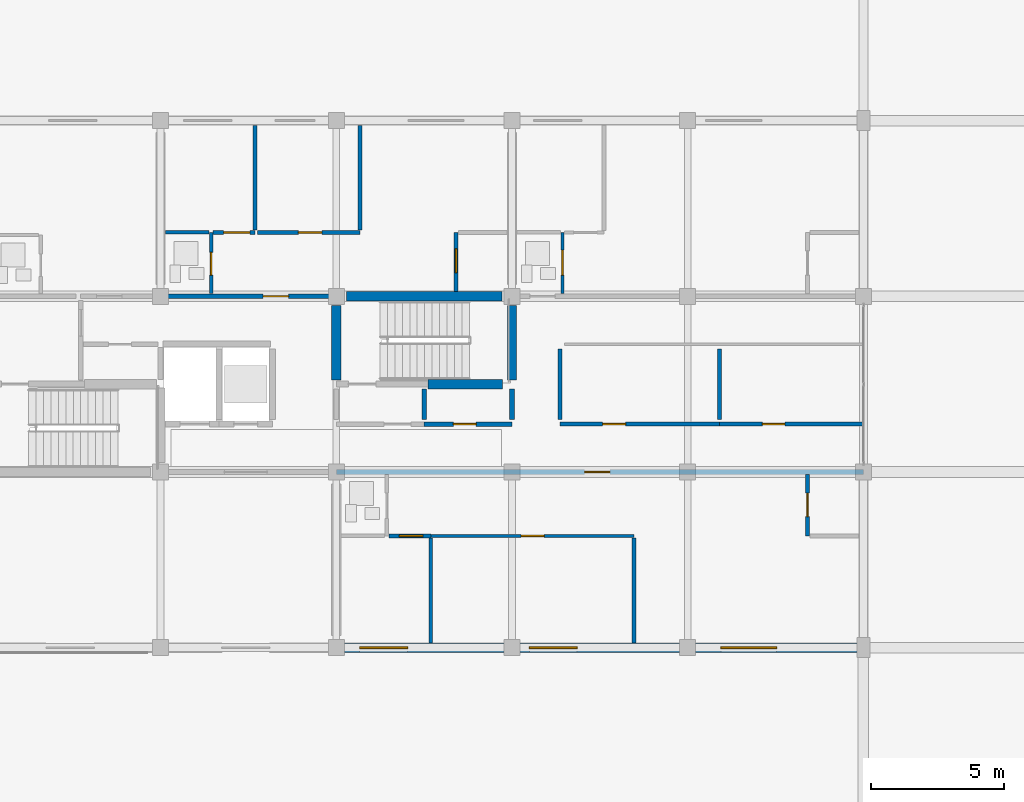
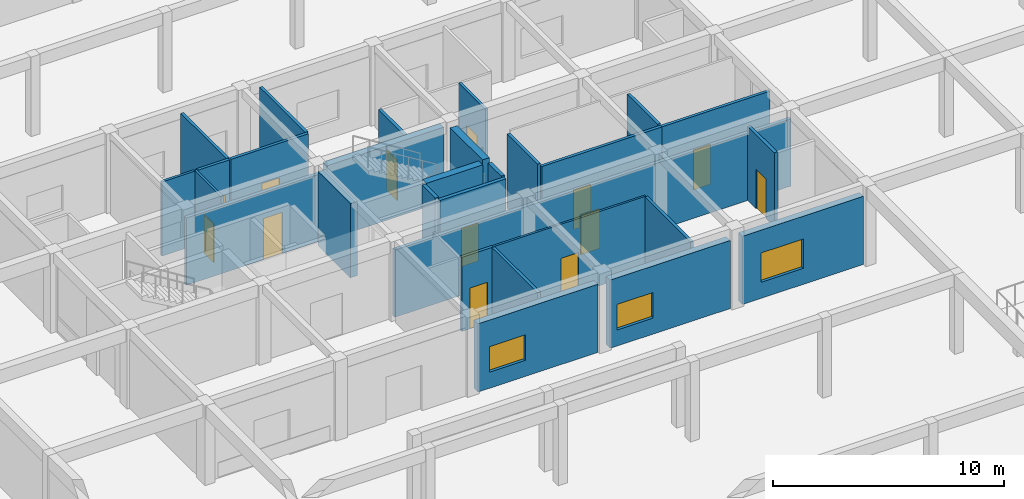
# One storey, part 55 of 75: 29 walls, 13 doors, 3 windows, 16 openings.
"""IFC4 building model written with IfcOpenShell, lengths in metres."""

from ifc_helpers import new_model, si_unit, direction, frame, frame_2d, origin, place, context, subcontext, project, spatial, rectangle, extrude, material, layer, layer_set, type_object, element, fill, save


model = new_model("IFC4")

# Units and contexts
model_context = context("Model", 3, precision=1e-05, world=origin(), true_north=direction((0.0, 1.0)))
body_context = subcontext(model_context, "Body", "Model", "MODEL_VIEW")
ifc_project = project(units=[si_unit("LENGTHUNIT", "METRE"), si_unit("AREAUNIT", "SQUARE_METRE"), si_unit("VOLUMEUNIT", "CUBIC_METRE"), si_unit("PLANEANGLEUNIT", "RADIAN"), si_unit("MASSUNIT", "GRAM", prefix="KILO")], contexts=[model_context])

# Site, building, storey
site_placement = place(None, origin())
site = spatial("IfcSite", under=ifc_project, at=site_placement, CompositionType="ELEMENT")
building_placement = place(site_placement, origin())
building = spatial("IfcBuilding", under=site, at=building_placement, Name="Kernevlak Ridge Housing Community", CompositionType="ELEMENT")
storey_placement = place(building_placement, origin())
storey = spatial("IfcBuildingStorey", under=building, at=storey_placement, Name="L00", CompositionType="ELEMENT", Elevation=0.0)

# Wall, opening, window
ifc_material_1 = material(Name="Concrete block masonry M10", Category="masonry")
ifc_layer_1 = layer(ifc_material_1, 0.340087890625, Name="Concrete block masonry M10")
ifc_layer_set_1 = layer_set([ifc_layer_1], Name="Concrete block masonry M10")
wall_type_1 = type_object("IfcWallType", Name="EW-04", PredefinedType="STANDARD", material=ifc_layer_set_1)
wall_1_placement = place(storey_placement, frame((29.10009765625, 76.0, 0.0), z_axis=(0.0, 0.0, 1.0), x_axis=(1.0, 0.0, 0.0)))
wall_1 = element("IfcWall", 1, at=wall_1_placement, inside=storey, type_object=wall_type_1, Name="Exterior wall EW-04 L00 3", PredefinedType="STANDARD", context=body_context, shape_type="SweptSolid", body=[
    extrude(rectangle(XDim=6.0, YDim=0.340087890625, at=frame_2d((3.0, 0.0))), origin(), (0.0, 0.0, 1.0), 3.60009765625),
])
opening_1_placement = place(wall_1_placement, frame((0.574951171875, 0.0, 0.85009765625)))
opening_1 = element("IfcOpeningElement", 2, at=opening_1_placement, cuts=wall_1, Name="Opening WT-03", PredefinedType="OPENING", context=body_context, shape_type="SweptSolid", body=[
    extrude(rectangle(XDim=1.800048828125, YDim=1.35009765625, at=frame_2d((0.89990234375, 0.675048828125))), frame((0.0, 0.179931640625, 0.0), z_axis=(0.0, -1.0, 0.0), x_axis=(1.0, 0.0, 0.0)), (0.0, 0.0, 1.0), 0.360107421875),
])
ifc_material_2 = material(Name="Aluminium EN AW-6060 anodised and laminated glass", Category="aluminium")
window_type_1 = type_object("IfcWindowType", Name="WT-03", PartitioningType="SINGLE_PANEL", PredefinedType="WINDOW", material=ifc_material_2)
window_1_placement = place(opening_1_placement, origin())
window_1 = element("IfcWindow", 3, at=window_1_placement, inside=storey, type_object=window_type_1, Name="Window WT-03 L00 1", OverallHeight=1.35009765625, OverallWidth=1.800048828125, PartitioningType="SINGLE_PANEL", PredefinedType="WINDOW", context=body_context, shape_type="SweptSolid", body=[
    extrude(rectangle(XDim=1.800048828125, YDim=1.35009765625, at=frame_2d((0.89990234375, 0.675048828125))), frame((0.0, 0.030029296875, 0.0), z_axis=(0.0, -1.0, 0.0), x_axis=(1.0, 0.0, 0.0)), (0.0, 0.0, 1.0), 0.06005859375),
])
fill(opening_1, window_1)

wall_2_placement = place(storey_placement, frame((35.699951171875, 76.0, 0.0), z_axis=(0.0, 0.0, 1.0), x_axis=(1.0, 0.0, 0.0)))
wall_2 = element("IfcWall", 4, at=wall_2_placement, inside=storey, type_object=wall_type_1, Name="Exterior wall EW-04 L00 4", PredefinedType="STANDARD", context=body_context, shape_type="SweptSolid", body=[
    extrude(rectangle(XDim=6.0, YDim=0.340087890625, at=frame_2d((3.0, 0.0))), origin(), (0.0, 0.0, 1.0), 3.60009765625),
])
opening_2_placement = place(wall_2_placement, frame((0.35009765625, 0.0, 0.85009765625)))
opening_2 = element("IfcOpeningElement", 5, at=opening_2_placement, cuts=wall_2, Name="Opening WT-03", PredefinedType="OPENING", context=body_context, shape_type="SweptSolid", body=[
    extrude(rectangle(XDim=1.800048828125, YDim=1.35009765625, at=frame_2d((0.89990234375, 0.675048828125))), frame((0.0, 0.179931640625, 0.0), z_axis=(0.0, -1.0, 0.0), x_axis=(1.0, 0.0, 0.0)), (0.0, 0.0, 1.0), 0.360107421875),
])
window_2_placement = place(opening_2_placement, origin())
window_2 = element("IfcWindow", 6, at=window_2_placement, inside=storey, type_object=window_type_1, Name="Window WT-03 L00 2", OverallHeight=1.35009765625, OverallWidth=1.800048828125, PartitioningType="SINGLE_PANEL", PredefinedType="WINDOW", context=body_context, shape_type="SweptSolid", body=[
    extrude(rectangle(XDim=1.800048828125, YDim=1.35009765625, at=frame_2d((0.89990234375, 0.675048828125))), frame((0.0, 0.030029296875, 0.0), z_axis=(0.0, -1.0, 0.0), x_axis=(1.0, 0.0, 0.0)), (0.0, 0.0, 1.0), 0.06005859375),
])
fill(opening_2, window_2)

wall_3_placement = place(storey_placement, frame((42.300048828125, 76.0, 0.0), z_axis=(0.0, 0.0, 1.0), x_axis=(1.0, 0.0, 0.0)))
wall_3 = element("IfcWall", 7, at=wall_3_placement, inside=storey, type_object=wall_type_1, Name="Exterior wall EW-04 L00 5", PredefinedType="STANDARD", context=body_context, shape_type="SweptSolid", body=[
    extrude(rectangle(XDim=6.050048828125, YDim=0.340087890625, at=frame_2d((3.02490234375, 0.0))), origin(), (0.0, 0.0, 1.0), 3.60009765625),
])
opening_3_placement = place(wall_3_placement, frame((0.944091796875, 0.0, 0.85009765625)))
opening_3 = element("IfcOpeningElement", 8, at=opening_3_placement, cuts=wall_3, Name="Opening WT-05", PredefinedType="OPENING", context=body_context, shape_type="SweptSolid", body=[
    extrude(rectangle(XDim=2.10009765625, YDim=1.550048828125, at=frame_2d((1.050048828125, 0.77490234375))), frame((0.0, 0.179931640625, 0.0), z_axis=(0.0, -1.0, 0.0), x_axis=(1.0, 0.0, 0.0)), (0.0, 0.0, 1.0), 0.360107421875),
])
window_type_2 = type_object("IfcWindowType", Name="WT-05", PartitioningType="SINGLE_PANEL", PredefinedType="WINDOW", material=ifc_material_2)
window_3_placement = place(opening_3_placement, origin())
window_3 = element("IfcWindow", 9, at=window_3_placement, inside=storey, type_object=window_type_2, Name="Window WT-05 L00 3", OverallHeight=1.550048828125, OverallWidth=2.10009765625, PartitioningType="SINGLE_PANEL", PredefinedType="WINDOW", context=body_context, shape_type="SweptSolid", body=[
    extrude(rectangle(XDim=2.10009765625, YDim=1.550048828125, at=frame_2d((1.050048828125, 0.77490234375))), frame((0.0, 0.030029296875, 0.0), z_axis=(0.0, -1.0, 0.0), x_axis=(1.0, 0.0, 0.0)), (0.0, 0.0, 1.0), 0.06005859375),
])
fill(opening_3, window_3)

# Wall, opening, door
ifc_layer_2 = layer(ifc_material_1, 0.175048828125, Name="Concrete block masonry M10")
ifc_layer_set_2 = layer_set([ifc_layer_2], Name="Concrete block masonry M10")
wall_type_2 = type_object("IfcWallType", Name="PW-02", PredefinedType="PARTITIONING", material=ifc_layer_set_2)
wall_4_placement = place(storey_placement, frame((32.10009765625, 84.39990234375, 0.0), z_axis=(0.0, 0.0, 1.0), x_axis=(1.0, 0.0, 0.0)))
wall_4 = element("IfcWall", 10, at=wall_4_placement, inside=storey, type_object=wall_type_2, Name="Interior wall PW-02 WAL-INT-L00-0034", PredefinedType="PARTITIONING", context=body_context, shape_type="SweptSolid", body=[
    extrude(rectangle(XDim=3.2998046875, YDim=0.175048828125, at=frame_2d((1.64990234375, 0.0))), origin(), (0.0, 0.0, 1.0), 3.919921875),
])
opening_4_placement = place(wall_4_placement, frame((1.10009765625, 0.0, 0.0)))
opening_4 = element("IfcOpeningElement", 11, at=opening_4_placement, cuts=wall_4, Name="Opening D014", PredefinedType="OPENING", context=body_context, shape_type="SweptSolid", body=[
    extrude(rectangle(XDim=0.85009765625, YDim=2.0, at=frame_2d((0.425048828125, 1.0))), frame((0.0, 0.097412109375, 0.0), z_axis=(0.0, -1.0, 0.0), x_axis=(1.0, 0.0, 0.0)), (0.0, 0.0, 1.0), 0.195068359375),
])
ifc_material_3 = material(Name="Fire-rated sheet steel leaf", Category="steel")
door_type_1 = type_object("IfcDoorType", Name="DT-07", OperationType="NOTDEFINED", PredefinedType="DOOR", material=ifc_material_3)
door_1_placement = place(opening_4_placement, origin())
door_1 = element("IfcDoor", 12, at=door_1_placement, inside=storey, type_object=door_type_1, Name="Block A Cleaner store door D014", OperationType="SINGLE_SWING_RIGHT", OverallHeight=2.0, OverallWidth=0.85009765625, PredefinedType="DOOR", context=body_context, shape_type="SweptSolid", body=[
    extrude(rectangle(XDim=0.85009765625, YDim=2.0, at=frame_2d((0.425048828125, 1.0))), frame((0.0, 0.02490234375, 0.0), z_axis=(0.0, -1.0, 0.0), x_axis=(1.0, 0.0, 0.0)), (0.0, 0.0, 1.0), 0.050048828125),
])
fill(opening_4, door_1)

# Walls
for number, where, z_axis, x_axis, name in (
    (13, (32.10009765625, 84.580078125, 0.0), (0.0, 0.0, 1.0), (0.0, 1.0, 0.0), "Interior wall PW-02 WAL-INT-L00-0036"),
    (14, (35.39990234375, 84.580078125, 0.0), (0.0, 0.0, 1.0), (0.0, 1.0, 0.0), "Interior wall PW-02 WAL-INT-L00-0037"),
):
    element("IfcWall", number, at=place(storey_placement, frame(where, z_axis=z_axis, x_axis=x_axis)), inside=storey, type_object=wall_type_2, Name=name, PredefinedType="PARTITIONING", context=body_context, shape_type="SweptSolid", body=[
        extrude(rectangle(XDim=1.139892578125, YDim=0.175048828125, at=frame_2d((0.56982421875, 0.0))), origin(), (0.0, 0.0, 1.0), 3.919921875),
    ])

# Wall, opening, door
wall_5_placement = place(storey_placement, frame((28.800048828125, 82.60009765625, 0.0), z_axis=(0.0, 0.0, 1.0), x_axis=(1.0, 0.0, 0.0)))
wall_5 = element("IfcWall", 15, at=wall_5_placement, inside=storey, type_object=wall_type_2, Name="Interior wall PW-02 WAL-INT-L00-0044", PredefinedType="PARTITIONING", context=body_context, shape_type="SweptSolid", body=[
    extrude(rectangle(XDim=19.800048828125, YDim=0.175048828125, at=frame_2d((9.89990234375, 0.0))), origin(), (0.0, 0.0, 1.0), 3.550048828125),
])
opening_5_placement = place(wall_5_placement, frame((9.324951171875, 0.0, 0.0)))
opening_5 = element("IfcOpeningElement", 16, at=opening_5_placement, cuts=wall_5, Name="Opening D020", PredefinedType="OPENING", context=body_context, shape_type="SweptSolid", body=[
    extrude(rectangle(XDim=0.949951171875, YDim=2.10009765625, at=frame_2d((0.47509765625, 1.050048828125))), frame((0.0, 0.097412109375, 0.0), z_axis=(0.0, -1.0, 0.0), x_axis=(1.0, 0.0, 0.0)), (0.0, 0.0, 1.0), 0.195068359375),
])
ifc_material_4 = material(Name="Hardwood timber solid-core fire leaf", Category="wood")
door_type_2 = type_object("IfcDoorType", Name="DT-01", OperationType="NOTDEFINED", PredefinedType="DOOR", material=ifc_material_4)
door_2_placement = place(opening_5_placement, origin())
door_2 = element("IfcDoor", 17, at=door_2_placement, inside=storey, type_object=door_type_2, Name="Flat A0012 entrance fire door D020", OperationType="SINGLE_SWING_RIGHT", OverallHeight=2.10009765625, OverallWidth=0.949951171875, PredefinedType="DOOR", context=body_context, shape_type="SweptSolid", body=[
    extrude(rectangle(XDim=0.949951171875, YDim=2.10009765625, at=frame_2d((0.47509765625, 1.050048828125))), frame((0.0, 0.02490234375, 0.0), z_axis=(0.0, -1.0, 0.0), x_axis=(1.0, 0.0, 0.0)), (0.0, 0.0, 1.0), 0.050048828125),
])
fill(opening_5, door_2)

wall_6_placement = place(storey_placement, frame((22.199951171875, 89.199951171875, 0.0), z_axis=(0.0, 0.0, 1.0), x_axis=(1.0, 0.0, 0.0)))
wall_6 = element("IfcWall", 18, at=wall_6_placement, inside=storey, type_object=wall_type_2, Name="Interior wall PW-02 WAL-INT-L00-0057", PredefinedType="PARTITIONING", context=body_context, shape_type="SweptSolid", body=[
    extrude(rectangle(XDim=6.60009765625, YDim=0.175048828125, at=frame_2d((3.300048828125, 0.0))), origin(), (0.0, 0.0, 1.0), 3.550048828125),
])
opening_6_placement = place(wall_6_placement, frame((3.85009765625, 0.0, 0.0)))
opening_6 = element("IfcOpeningElement", 19, at=opening_6_placement, cuts=wall_6, Name="Opening D027", PredefinedType="OPENING", context=body_context, shape_type="SweptSolid", body=[
    extrude(rectangle(XDim=0.9599609375, YDim=2.179931640625, at=frame_2d((0.47998046875, 1.08984375))), frame((0.0, 0.097412109375, 0.0), z_axis=(0.0, -1.0, 0.0), x_axis=(1.0, 0.0, 0.0)), (0.0, 0.0, 1.0), 0.195068359375),
])
door_type_3 = type_object("IfcDoorType", Name="DT-29", OperationType="NOTDEFINED", PredefinedType="DOOR", material=ifc_material_4)
door_3_placement = place(opening_6_placement, origin())
door_3 = element("IfcDoor", 20, at=door_3_placement, inside=storey, type_object=door_type_3, Name="Flat A0022 entrance fire door D027", OperationType="SINGLE_SWING_LEFT", OverallHeight=2.179931640625, OverallWidth=0.9599609375, PredefinedType="DOOR", context=body_context, shape_type="SweptSolid", body=[
    extrude(rectangle(XDim=0.9599609375, YDim=2.179931640625, at=frame_2d((0.47998046875, 1.08984375))), frame((0.0, 0.02490234375, 0.0), z_axis=(0.0, -1.0, 0.0), x_axis=(1.0, 0.0, 0.0)), (0.0, 0.0, 1.0), 0.050048828125),
])
fill(opening_6, door_3)

ifc_layer_3 = layer(ifc_material_1, 0.14501953125, Name="Concrete block masonry M10")
ifc_layer_set_3 = layer_set([ifc_layer_3], Name="Concrete block masonry M10")
wall_type_3 = type_object("IfcWallType", Name="PW-03", PredefinedType="PARTITIONING", material=ifc_layer_set_3)
wall_7_placement = place(storey_placement, frame((37.199951171875, 84.39990234375, 0.0), z_axis=(0.0, 0.0, 1.0), x_axis=(1.0, 0.0, 0.0)))
wall_7 = element("IfcWall", 21, at=wall_7_placement, inside=storey, type_object=wall_type_3, Name="Interior wall PW-03 WAL-INT-L00-0038", PredefinedType="PARTITIONING", context=body_context, shape_type="SweptSolid", body=[
    extrude(rectangle(XDim=6.0, YDim=0.14501953125, at=frame_2d((3.0, 0.0))), origin(), (0.0, 0.0, 1.0), 3.919921875),
])
opening_7_placement = place(wall_7_placement, frame((1.60009765625, 0.0, 0.0)))
opening_7 = element("IfcOpeningElement", 22, at=opening_7_placement, cuts=wall_7, Name="Opening D015", PredefinedType="OPENING", context=body_context, shape_type="SweptSolid", body=[
    extrude(rectangle(XDim=0.8701171875, YDim=2.080078125, at=frame_2d((0.43505859375, 1.0400390625))), frame((0.0, 0.08251953125, 0.0), z_axis=(0.0, -1.0, 0.0), x_axis=(1.0, 0.0, 0.0)), (0.0, 0.0, 1.0), 0.1650390625),
])
ifc_material_5 = material(Name="Hardwood timber leaf", Category="wood")
door_type_4 = type_object("IfcDoorType", Name="DT-32", OperationType="NOTDEFINED", PredefinedType="DOOR", material=ifc_material_5)
door_4_placement = place(opening_7_placement, origin())
door_4 = element("IfcDoor", 23, at=door_4_placement, inside=storey, type_object=door_type_4, Name="Block A Laundry room door D015", OperationType="SINGLE_SWING_LEFT", OverallHeight=2.080078125, OverallWidth=0.8701171875, PredefinedType="DOOR", context=body_context, shape_type="SweptSolid", body=[
    extrude(rectangle(XDim=0.8701171875, YDim=2.080078125, at=frame_2d((0.43505859375, 1.0400390625))), frame((0.0, 0.02490234375, 0.0), z_axis=(0.0, -1.0, 0.0), x_axis=(1.0, 0.0, 0.0)), (0.0, 0.0, 1.0), 0.050048828125),
])
fill(opening_7, door_4)

wall_8_placement = place(storey_placement, frame((43.199951171875, 84.39990234375, 0.0), z_axis=(0.0, 0.0, 1.0), x_axis=(1.0, 0.0, 0.0)))
wall_8 = element("IfcWall", 24, at=wall_8_placement, inside=storey, type_object=wall_type_3, Name="Interior wall PW-03 WAL-INT-L00-0039", PredefinedType="PARTITIONING", context=body_context, shape_type="SweptSolid", body=[
    extrude(rectangle(XDim=5.400146484375, YDim=0.14501953125, at=frame_2d((2.7001953125, 0.0))), origin(), (0.0, 0.0, 1.0), 3.919921875),
])
opening_8_placement = place(wall_8_placement, frame((1.60009765625, 0.0, 0.0)))
opening_8 = element("IfcOpeningElement", 25, at=opening_8_placement, cuts=wall_8, Name="Opening D016", PredefinedType="OPENING", context=body_context, shape_type="SweptSolid", body=[
    extrude(rectangle(XDim=0.85009765625, YDim=2.10009765625, at=frame_2d((0.425048828125, 1.050048828125))), frame((0.0, 0.08251953125, 0.0), z_axis=(0.0, -1.0, 0.0), x_axis=(1.0, 0.0, 0.0)), (0.0, 0.0, 1.0), 0.1650390625),
])
door_type_5 = type_object("IfcDoorType", Name="DT-03", OperationType="NOTDEFINED", PredefinedType="DOOR", material=ifc_material_5)
door_5_placement = place(opening_8_placement, origin())
door_5 = element("IfcDoor", 26, at=door_5_placement, inside=storey, type_object=door_type_5, Name="Block A Study room door D016", OperationType="SINGLE_SWING_RIGHT", OverallHeight=2.10009765625, OverallWidth=0.85009765625, PredefinedType="DOOR", context=body_context, shape_type="SweptSolid", body=[
    extrude(rectangle(XDim=0.85009765625, YDim=2.10009765625, at=frame_2d((0.425048828125, 1.050048828125))), frame((0.0, 0.02490234375, 0.0), z_axis=(0.0, -1.0, 0.0), x_axis=(1.0, 0.0, 0.0)), (0.0, 0.0, 1.0), 0.050048828125),
])
fill(opening_8, door_5)

# Walls
for number, where, z_axis, x_axis, name in (
    (27, (43.199951171875, 84.580078125, 0.0), (0.0, 0.0, 1.0), (0.0, 1.0, 0.0), "Interior wall PW-03 WAL-INT-L00-0040"),
    (28, (37.199951171875, 84.580078125, 0.0), (0.0, 0.0, 1.0), (0.0, 1.0, 0.0), "Interior wall PW-03 WAL-INT-L00-0042"),
):
    element("IfcWall", number, at=place(storey_placement, frame(where, z_axis=z_axis, x_axis=x_axis)), inside=storey, type_object=wall_type_3, Name=name, PredefinedType="PARTITIONING", context=body_context, shape_type="SweptSolid", body=[
        extrude(rectangle(XDim=2.639892578125, YDim=0.14501953125, at=frame_2d((1.31982421875, 0.0))), origin(), (0.0, 0.0, 1.0), 3.919921875),
    ])

# Wall, opening, door
wall_9_placement = place(storey_placement, frame((30.7724609375, 80.199951171875, 0.0), z_axis=(0.0, 0.0, 1.0), x_axis=(1.0, 0.0, 0.0)))
wall_9 = element("IfcWall", 29, at=wall_9_placement, inside=storey, type_object=wall_type_3, Name="Interior wall PW-03 WAL-INT-L00-0049", PredefinedType="PARTITIONING", context=body_context, shape_type="SweptSolid", body=[
    extrude(rectangle(XDim=1.57763671875, YDim=0.14501953125, at=frame_2d((0.788818359375, 0.0))), origin(), (0.0, 0.0, 1.0), 3.919921875),
])
opening_9_placement = place(wall_9_placement, frame((0.39990234375, 0.0, 0.0)))
opening_9 = element("IfcOpeningElement", 30, at=opening_9_placement, cuts=wall_9, Name="Opening D023", PredefinedType="OPENING", context=body_context, shape_type="SweptSolid", body=[
    extrude(rectangle(XDim=0.8798828125, YDim=2.159912109375, at=frame_2d((0.43994140625, 1.080078125))), frame((0.0, 0.08251953125, 0.0), z_axis=(0.0, -1.0, 0.0), x_axis=(1.0, 0.0, 0.0)), (0.0, 0.0, 1.0), 0.1650390625),
])
door_type_6 = type_object("IfcDoorType", Name="DT-26", OperationType="NOTDEFINED", PredefinedType="DOOR", material=ifc_material_5)
door_6_placement = place(opening_9_placement, origin())
door_6 = element("IfcDoor", 31, at=door_6_placement, inside=storey, type_object=door_type_6, Name="Flat A0012 bedroom door D023", OperationType="SINGLE_SWING_LEFT", OverallHeight=2.159912109375, OverallWidth=0.8798828125, PredefinedType="DOOR", context=body_context, shape_type="SweptSolid", body=[
    extrude(rectangle(XDim=0.8798828125, YDim=2.159912109375, at=frame_2d((0.43994140625, 1.080078125))), frame((0.0, 0.02490234375, 0.0), z_axis=(0.0, -1.0, 0.0), x_axis=(1.0, 0.0, 0.0)), (0.0, 0.0, 1.0), 0.050048828125),
])
fill(opening_9, door_6)

# Walls
wall_10_placement = place(storey_placement, frame((32.35009765625, 80.117431640625, 0.0), z_axis=(0.0, 0.0, 1.0), x_axis=(0.0, -1.0, 0.0)))
element("IfcWall", 32, at=wall_10_placement, inside=storey, type_object=wall_type_3, Name="Interior wall PW-03 WAL-INT-L00-0050", PredefinedType="PARTITIONING", context=body_context, shape_type="SweptSolid", body=[
    extrude(rectangle(XDim=3.9375, YDim=0.14501953125, at=frame_2d((1.96875, 0.0))), origin(), (0.0, 0.0, 1.0), 3.919921875),
])
wall_11_placement = place(storey_placement, frame((39.988037109375, 80.1201171875, 0.0), z_axis=(0.0, 0.0, 1.0), x_axis=(0.0, -1.0, 0.0)))
element("IfcWall", 33, at=wall_11_placement, inside=storey, type_object=wall_type_3, Name="Interior wall PW-03 WAL-INT-L00-0052", PredefinedType="PARTITIONING", context=body_context, shape_type="SweptSolid", body=[
    extrude(rectangle(XDim=3.940185546875, YDim=0.14501953125, at=frame_2d((1.97021484375, 0.0))), origin(), (0.0, 0.0, 1.0), 3.919921875),
])

# Wall, opening, door
wall_12_placement = place(storey_placement, frame((24.172607421875, 91.60009765625, 0.0), z_axis=(0.0, 0.0, 1.0), x_axis=(1.0, 0.0, 0.0)))
wall_12 = element("IfcWall", 34, at=wall_12_placement, inside=storey, type_object=wall_type_3, Name="Interior wall PW-03 WAL-INT-L00-0062", PredefinedType="PARTITIONING", context=body_context, shape_type="SweptSolid", body=[
    extrude(rectangle(XDim=1.577392578125, YDim=0.14501953125, at=frame_2d((0.78857421875, 0.0))), origin(), (0.0, 0.0, 1.0), 3.919921875),
])
opening_10_placement = place(wall_12_placement, frame((0.39990234375, 0.0, 0.0)))
opening_10 = element("IfcOpeningElement", 35, at=opening_10_placement, cuts=wall_12, Name="Opening D030", PredefinedType="OPENING", context=body_context, shape_type="SweptSolid", body=[
    extrude(rectangle(XDim=0.97998046875, YDim=2.1201171875, at=frame_2d((0.489990234375, 1.06005859375))), frame((0.0, 0.08251953125, 0.0), z_axis=(0.0, -1.0, 0.0), x_axis=(1.0, 0.0, 0.0)), (0.0, 0.0, 1.0), 0.1650390625),
])
door_type_7 = type_object("IfcDoorType", Name="DT-24", OperationType="NOTDEFINED", PredefinedType="DOOR", material=ifc_material_5)
door_7_placement = place(opening_10_placement, origin())
door_7 = element("IfcDoor", 36, at=door_7_placement, inside=storey, type_object=door_type_7, Name="Flat A0022 bedroom door D030", OperationType="SINGLE_SWING_RIGHT", OverallHeight=2.1201171875, OverallWidth=0.97998046875, PredefinedType="DOOR", context=body_context, shape_type="SweptSolid", body=[
    extrude(rectangle(XDim=0.97998046875, YDim=2.1201171875, at=frame_2d((0.489990234375, 1.06005859375))), frame((0.0, 0.02490234375, 0.0), z_axis=(0.0, -1.0, 0.0), x_axis=(1.0, 0.0, 0.0)), (0.0, 0.0, 1.0), 0.050048828125),
])
fill(opening_10, door_7)

# Wall
wall_13_placement = place(storey_placement, frame((25.75, 91.6826171875, 0.0), z_axis=(0.0, 0.0, 1.0), x_axis=(0.0, 1.0, 0.0)))
element("IfcWall", 37, at=wall_13_placement, inside=storey, type_object=wall_type_3, Name="Interior wall PW-03 WAL-INT-L00-0063", PredefinedType="PARTITIONING", context=body_context, shape_type="SweptSolid", body=[
    extrude(rectangle(XDim=3.9375, YDim=0.14501953125, at=frame_2d((1.96875, 0.0))), origin(), (0.0, 0.0, 1.0), 3.919921875),
])

# Wall, opening, door
wall_14_placement = place(storey_placement, frame((25.83251953125, 91.60009765625, 0.0), z_axis=(0.0, 0.0, 1.0), x_axis=(1.0, 0.0, 0.0)))
wall_14 = element("IfcWall", 38, at=wall_14_placement, inside=storey, type_object=wall_type_3, Name="Interior wall PW-03 WAL-INT-L00-0064", PredefinedType="PARTITIONING", context=body_context, shape_type="SweptSolid", body=[
    extrude(rectangle(XDim=3.859375, YDim=0.14501953125, at=frame_2d((1.9296875, 0.0))), origin(), (0.0, 0.0, 1.0), 3.919921875),
])
opening_11_placement = place(wall_14_placement, frame((1.5458984375, 0.0, 0.0)))
opening_11 = element("IfcOpeningElement", 39, at=opening_11_placement, cuts=wall_14, Name="Opening D031", PredefinedType="OPENING", context=body_context, shape_type="SweptSolid", body=[
    extrude(rectangle(XDim=0.8798828125, YDim=2.10009765625, at=frame_2d((0.43994140625, 1.050048828125))), frame((0.0, 0.08251953125, 0.0), z_axis=(0.0, -1.0, 0.0), x_axis=(1.0, 0.0, 0.0)), (0.0, 0.0, 1.0), 0.1650390625),
])
door_type_8 = type_object("IfcDoorType", Name="DT-25", OperationType="NOTDEFINED", PredefinedType="DOOR", material=ifc_material_5)
door_8_placement = place(opening_11_placement, origin())
door_8 = element("IfcDoor", 40, at=door_8_placement, inside=storey, type_object=door_type_8, Name="Flat A0022 bedroom door D031", OperationType="SINGLE_SWING_LEFT", OverallHeight=2.10009765625, OverallWidth=0.8798828125, PredefinedType="DOOR", context=body_context, shape_type="SweptSolid", body=[
    extrude(rectangle(XDim=0.8798828125, YDim=2.10009765625, at=frame_2d((0.43994140625, 1.050048828125))), frame((0.0, 0.02490234375, 0.0), z_axis=(0.0, -1.0, 0.0), x_axis=(1.0, 0.0, 0.0)), (0.0, 0.0, 1.0), 0.050048828125),
])
fill(opening_11, door_8)

# Wall
wall_15_placement = place(storey_placement, frame((29.69189453125, 91.6826171875, 0.0), z_axis=(0.0, 0.0, 1.0), x_axis=(0.0, 1.0, 0.0)))
element("IfcWall", 41, at=wall_15_placement, inside=storey, type_object=wall_type_3, Name="Interior wall PW-03 WAL-INT-L00-0065", PredefinedType="PARTITIONING", context=body_context, shape_type="SweptSolid", body=[
    extrude(rectangle(XDim=3.9375, YDim=0.14501953125, at=frame_2d((1.96875, 0.0))), origin(), (0.0, 0.0, 1.0), 3.919921875),
])

# Wall, opening, door
ifc_material_6 = material(Name="Gypsum plasterboard EN 520", Category="gypsum")
ifc_layer_4 = layer(ifc_material_6, 0.125, Name="Gypsum plasterboard EN 520")
ifc_layer_set_4 = layer_set([ifc_layer_4], Name="Gypsum plasterboard EN 520")
wall_type_4 = type_object("IfcWallType", Name="PW-04", PredefinedType="PARTITIONING", material=ifc_layer_set_4)
wall_16_placement = place(storey_placement, frame((24.10009765625, 89.297607421875, 0.0), z_axis=(0.0, 0.0, 1.0), x_axis=(0.0, 1.0, 0.0)))
wall_16 = element("IfcWall", 42, at=wall_16_placement, inside=storey, type_object=wall_type_4, Name="Interior wall PW-04 WAL-INT-L00-0058", PredefinedType="PARTITIONING", context=body_context, shape_type="SweptSolid", body=[
    extrude(rectangle(XDim=2.302490234375, YDim=0.125, at=frame_2d((1.1513671875, 0.0))), origin(), (0.0, 0.0, 1.0), 3.919921875),
])
opening_12_placement = place(wall_16_placement, frame((0.699951171875, 0.0, 0.0)))
opening_12 = element("IfcOpeningElement", 43, at=opening_12_placement, cuts=wall_16, Name="Opening D028", PredefinedType="OPENING", context=body_context, shape_type="SweptSolid", body=[
    extrude(rectangle(XDim=0.85009765625, YDim=2.0400390625, at=frame_2d((0.425048828125, 1.02001953125))), frame((0.0, 0.072509765625, 0.0), z_axis=(0.0, -1.0, 0.0), x_axis=(1.0, 0.0, 0.0)), (0.0, 0.0, 1.0), 0.14501953125),
])
ifc_material_7 = material(Name="Hardwood timber moisture-resistant leaf", Category="wood")
door_type_9 = type_object("IfcDoorType", Name="DT-04", OperationType="NOTDEFINED", PredefinedType="DOOR", material=ifc_material_7)
door_9_placement = place(opening_12_placement, origin())
door_9 = element("IfcDoor", 44, at=door_9_placement, inside=storey, type_object=door_type_9, Name="Flat A0022 bathroom door D028", OperationType="SINGLE_SWING_RIGHT", OverallHeight=2.0400390625, OverallWidth=0.85009765625, PredefinedType="DOOR", context=body_context, shape_type="SweptSolid", body=[
    extrude(rectangle(XDim=0.85009765625, YDim=2.0400390625, at=frame_2d((0.425048828125, 1.02001953125))), frame((0.0, 0.02490234375, 0.0), z_axis=(0.0, -1.0, 0.0), x_axis=(1.0, 0.0, 0.0)), (0.0, 0.0, 1.0), 0.050048828125),
])
fill(opening_12, door_9)

# Wall
wall_17_placement = place(storey_placement, frame((22.385009765625, 91.60009765625, 0.0), z_axis=(0.0, 0.0, 1.0), x_axis=(1.0, 0.0, 0.0)))
element("IfcWall", 45, at=wall_17_placement, inside=storey, type_object=wall_type_4, Name="Interior wall PW-04 WAL-INT-L00-0059", PredefinedType="PARTITIONING", context=body_context, shape_type="SweptSolid", body=[
    extrude(rectangle(XDim=1.635009765625, YDim=0.125, at=frame_2d((0.8173828125, 0.0))), origin(), (0.0, 0.0, 1.0), 3.919921875),
])

# Wall, opening, door
wall_18_placement = place(storey_placement, frame((37.300048828125, 89.297607421875, 0.0), z_axis=(0.0, 0.0, 1.0), x_axis=(0.0, 1.0, 0.0)))
wall_18 = element("IfcWall", 46, at=wall_18_placement, inside=storey, type_object=wall_type_4, Name="Interior wall PW-04 WAL-INT-L00-0067", PredefinedType="PARTITIONING", context=body_context, shape_type="SweptSolid", body=[
    extrude(rectangle(XDim=2.302490234375, YDim=0.125, at=frame_2d((1.1513671875, 0.0))), origin(), (0.0, 0.0, 1.0), 3.919921875),
])
opening_13_placement = place(wall_18_placement, frame((0.699951171875, 0.0, 0.0)))
opening_13 = element("IfcOpeningElement", 47, at=opening_13_placement, cuts=wall_18, Name="Opening D033", PredefinedType="OPENING", context=body_context, shape_type="SweptSolid", body=[
    extrude(rectangle(XDim=0.93994140625, YDim=2.080078125, at=frame_2d((0.469970703125, 1.0400390625))), frame((0.0, 0.072509765625, 0.0), z_axis=(0.0, -1.0, 0.0), x_axis=(1.0, 0.0, 0.0)), (0.0, 0.0, 1.0), 0.14501953125),
])
door_type_10 = type_object("IfcDoorType", Name="DT-23", OperationType="NOTDEFINED", PredefinedType="DOOR", material=ifc_material_7)
door_10_placement = place(opening_13_placement, origin())
door_10 = element("IfcDoor", 48, at=door_10_placement, inside=storey, type_object=door_type_10, Name="Flat A0023 bathroom door D033", OperationType="SINGLE_SWING_LEFT", OverallHeight=2.080078125, OverallWidth=0.93994140625, PredefinedType="DOOR", context=body_context, shape_type="SweptSolid", body=[
    extrude(rectangle(XDim=0.93994140625, YDim=2.080078125, at=frame_2d((0.469970703125, 1.0400390625))), frame((0.0, 0.02490234375, 0.0), z_axis=(0.0, -1.0, 0.0), x_axis=(1.0, 0.0, 0.0)), (0.0, 0.0, 1.0), 0.050048828125),
])
fill(opening_13, door_10)

ifc_layer_5 = layer(ifc_material_6, 0.155029296875, Name="Gypsum plasterboard EN 520")
ifc_layer_set_5 = layer_set([ifc_layer_5], Name="Gypsum plasterboard EN 520")
wall_type_5 = type_object("IfcWallType", Name="PW-05", PredefinedType="PARTITIONING", material=ifc_layer_set_5)
wall_19_placement = place(storey_placement, frame((46.5, 82.50244140625, 0.0), z_axis=(0.0, 0.0, 1.0), x_axis=(0.0, -1.0, 0.0)))
wall_19 = element("IfcWall", 49, at=wall_19_placement, inside=storey, type_object=wall_type_5, Name="Interior wall PW-05 WAL-INT-L00-0047", PredefinedType="PARTITIONING", context=body_context, shape_type="SweptSolid", body=[
    extrude(rectangle(XDim=2.302490234375, YDim=0.155029296875, at=frame_2d((1.1513671875, 0.0))), origin(), (0.0, 0.0, 1.0), 3.919921875),
])
opening_14_placement = place(wall_19_placement, frame((0.699951171875, 0.0, 0.0)))
opening_14 = element("IfcOpeningElement", 50, at=opening_14_placement, cuts=wall_19, Name="Opening D022", PredefinedType="OPENING", context=body_context, shape_type="SweptSolid", body=[
    extrude(rectangle(XDim=0.8798828125, YDim=2.10009765625, at=frame_2d((0.43994140625, 1.050048828125))), frame((0.0, 0.08740234375, 0.0), z_axis=(0.0, -1.0, 0.0), x_axis=(1.0, 0.0, 0.0)), (0.0, 0.0, 1.0), 0.175048828125),
])
door_11_placement = place(opening_14_placement, origin())
door_11 = element("IfcDoor", 51, at=door_11_placement, inside=storey, type_object=door_type_8, Name="Flat A0012 kitchen door D022", OperationType="SINGLE_SWING_RIGHT", OverallHeight=2.10009765625, OverallWidth=0.8798828125, PredefinedType="DOOR", context=body_context, shape_type="SweptSolid", body=[
    extrude(rectangle(XDim=0.8798828125, YDim=2.10009765625, at=frame_2d((0.43994140625, 1.050048828125))), frame((0.0, 0.02490234375, 0.0), z_axis=(0.0, -1.0, 0.0), x_axis=(1.0, 0.0, 0.0)), (0.0, 0.0, 1.0), 0.050048828125),
])
fill(opening_14, door_11)

wall_20_placement = place(storey_placement, frame((33.300048828125, 89.385009765625, 0.0), z_axis=(0.0, 0.0, 1.0), x_axis=(0.0, 1.0, 0.0)))
wall_20 = element("IfcWall", 52, at=wall_20_placement, inside=storey, type_object=wall_type_5, Name="Interior wall PW-05 WAL-INT-L00-0060", PredefinedType="PARTITIONING", context=body_context, shape_type="SweptSolid", body=[
    extrude(rectangle(XDim=2.215087890625, YDim=0.155029296875, at=frame_2d((1.107421875, 0.0))), origin(), (0.0, 0.0, 1.0), 3.919921875),
])
opening_15_placement = place(wall_20_placement, frame((0.699951171875, 0.0, 0.0)))
opening_15 = element("IfcOpeningElement", 53, at=opening_15_placement, cuts=wall_20, Name="Opening D029", PredefinedType="OPENING", context=body_context, shape_type="SweptSolid", body=[
    extrude(rectangle(XDim=0.89990234375, YDim=2.159912109375, at=frame_2d((0.449951171875, 1.080078125))), frame((0.0, 0.08740234375, 0.0), z_axis=(0.0, -1.0, 0.0), x_axis=(1.0, 0.0, 0.0)), (0.0, 0.0, 1.0), 0.175048828125),
])
door_type_11 = type_object("IfcDoorType", Name="DT-22", OperationType="NOTDEFINED", PredefinedType="DOOR", material=ifc_material_5)
door_12_placement = place(opening_15_placement, origin())
door_12 = element("IfcDoor", 54, at=door_12_placement, inside=storey, type_object=door_type_11, Name="Flat A0022 kitchen door D029", OperationType="SINGLE_SWING_LEFT", OverallHeight=2.159912109375, OverallWidth=0.89990234375, PredefinedType="DOOR", context=body_context, shape_type="SweptSolid", body=[
    extrude(rectangle(XDim=0.89990234375, YDim=2.159912109375, at=frame_2d((0.449951171875, 1.080078125))), frame((0.0, 0.02490234375, 0.0), z_axis=(0.0, -1.0, 0.0), x_axis=(1.0, 0.0, 0.0)), (0.0, 0.0, 1.0), 0.050048828125),
])
fill(opening_15, door_12)

ifc_layer_6 = layer(ifc_material_6, 0.10498046875, Name="Gypsum plasterboard EN 520")
ifc_layer_set_6 = layer_set([ifc_layer_6], Name="Gypsum plasterboard EN 520")
wall_type_6 = type_object("IfcWallType", Name="PW-06", PredefinedType="PARTITIONING", material=ifc_layer_set_6)
wall_21_placement = place(storey_placement, frame((32.35009765625, 80.199951171875, 0.0), z_axis=(0.0, 0.0, 1.0), x_axis=(1.0, 0.0, 0.0)))
wall_21 = element("IfcWall", 55, at=wall_21_placement, inside=storey, type_object=wall_type_6, Name="Interior wall PW-06 WAL-INT-L00-0051", PredefinedType="PARTITIONING", context=body_context, shape_type="SweptSolid", body=[
    extrude(rectangle(XDim=7.637939453125, YDim=0.10498046875, at=frame_2d((3.81884765625, 0.0))), origin(), (0.0, 0.0, 1.0), 3.919921875),
])
opening_16_placement = place(wall_21_placement, frame((3.39404296875, 0.0, 0.0)))
opening_16 = element("IfcOpeningElement", 56, at=opening_16_placement, cuts=wall_21, Name="Opening D024", PredefinedType="OPENING", context=body_context, shape_type="SweptSolid", body=[
    extrude(rectangle(XDim=0.860107421875, YDim=2.1201171875, at=frame_2d((0.43017578125, 1.06005859375))), frame((0.0, 0.0625, 0.0), z_axis=(0.0, -1.0, 0.0), x_axis=(1.0, 0.0, 0.0)), (0.0, 0.0, 1.0), 0.125),
])
door_type_12 = type_object("IfcDoorType", Name="DT-28", OperationType="NOTDEFINED", PredefinedType="DOOR", material=ifc_material_5)
door_13_placement = place(opening_16_placement, origin())
door_13 = element("IfcDoor", 57, at=door_13_placement, inside=storey, type_object=door_type_12, Name="Flat A0012 bedroom door D024", OperationType="SINGLE_SWING_RIGHT", OverallHeight=2.1201171875, OverallWidth=0.860107421875, PredefinedType="DOOR", context=body_context, shape_type="SweptSolid", body=[
    extrude(rectangle(XDim=0.860107421875, YDim=2.1201171875, at=frame_2d((0.43017578125, 1.06005859375))), frame((0.0, 0.02490234375, 0.0), z_axis=(0.0, -1.0, 0.0), x_axis=(1.0, 0.0, 0.0)), (0.0, 0.0, 1.0), 0.050048828125),
])
fill(opening_16, door_13)

# Walls
ifc_material_8 = material(Name="Concrete C40/50", Category="concrete")
ifc_layer_7 = layer(ifc_material_8, 0.35009765625, Name="Concrete C40/50")
ifc_layer_set_7 = layer_set([ifc_layer_7], Name="Concrete C40/50")
wall_type_7 = type_object("IfcWallType", Name="SW-01", PredefinedType="SHEAR", material=ifc_layer_set_7)
wall_22_placement = place(storey_placement, frame((29.179931640625, 89.199951171875, 0.0), z_axis=(0.0, 0.0, 1.0), x_axis=(1.0, 0.0, 0.0)))
element("IfcWall", 58, at=wall_22_placement, inside=storey, type_object=wall_type_7, Name="Shear wall SW-01 Block A L00 14", PredefinedType="SHEAR", context=body_context, shape_type="SweptSolid", body=[
    extrude(rectangle(XDim=5.840087890625, YDim=0.35009765625, at=frame_2d((2.919921875, 0.0))), origin(), (0.0, 0.0, 1.0), 3.919921875),
])
for number, where, z_axis, x_axis, name in (
    (59, (32.25, 85.89990234375, 0.0), (0.0, 0.0, 1.0), (1.0, 0.0, 0.0), "Shear wall SW-01 Block A L00 15"),
    (60, (28.800048828125, 86.050048828125, 0.0), (0.0, 0.0, 1.0), (0.0, 1.0, 0.0), "Shear wall SW-01 Block A L00 16"),
    (61, (35.39990234375, 86.050048828125, 0.0), (0.0, 0.0, 1.0), (0.0, 1.0, 0.0), "Shear wall SW-01 Block A L00 17"),
):
    element("IfcWall", number, at=place(storey_placement, frame(where, z_axis=z_axis, x_axis=x_axis)), inside=storey, type_object=wall_type_7, Name=name, PredefinedType="SHEAR", context=body_context, shape_type="SweptSolid", body=[
        extrude(rectangle(XDim=2.800048828125, YDim=0.35009765625, at=frame_2d((1.39990234375, 0.0))), origin(), (0.0, 0.0, 1.0), 3.919921875),
    ])

save(model, "model.ifc")
